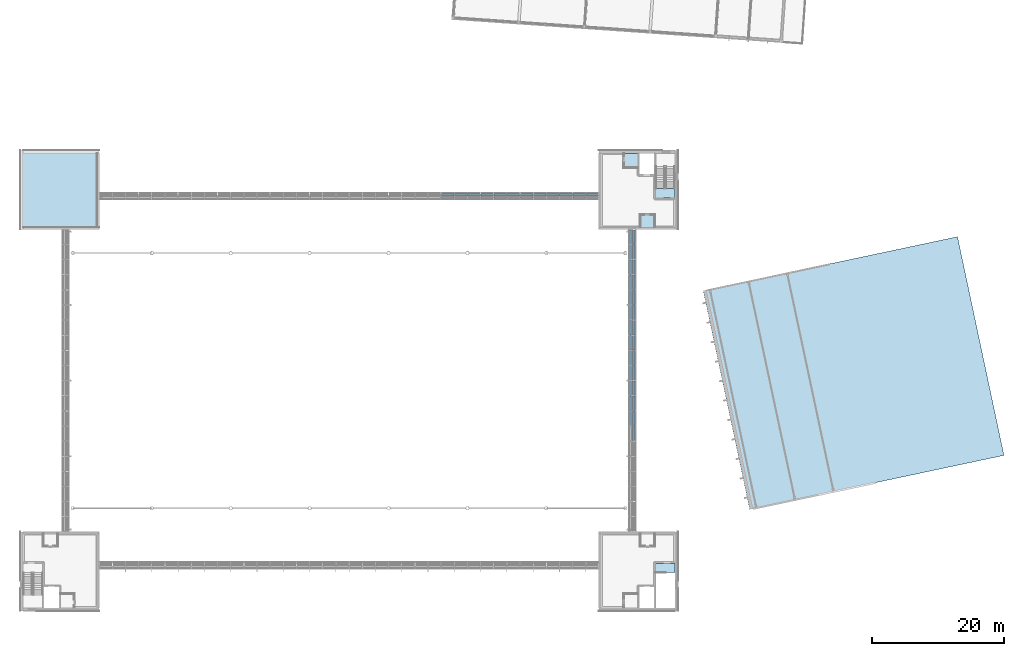
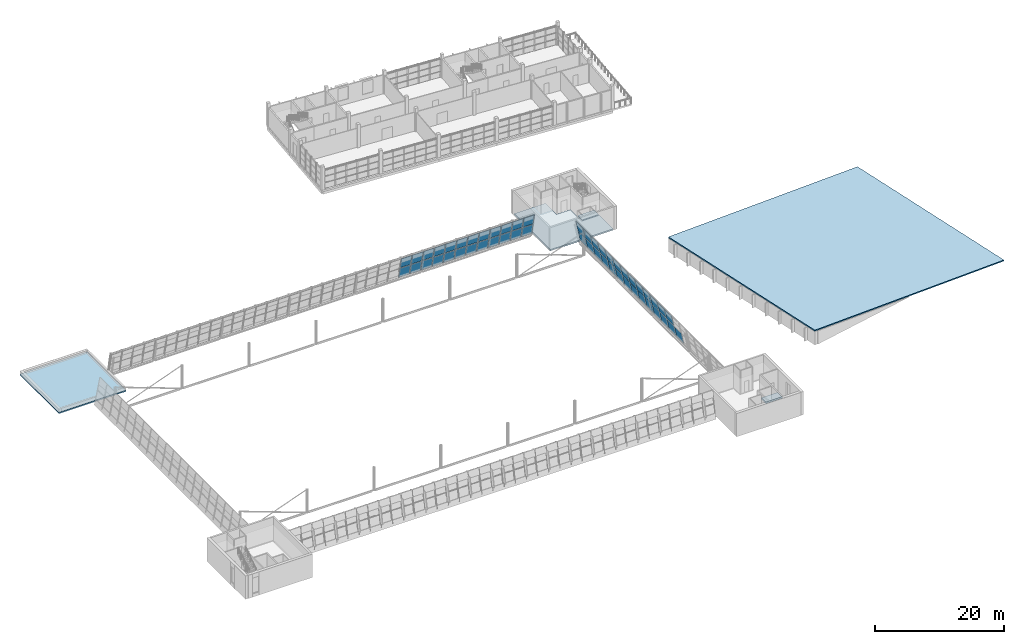
# One storey, part 26 of 50: 51 plates, 5 slabs, 2 elements without a shape of their own.
"""IFC4 building model written with IfcOpenShell, lengths in metres."""

import ifcopenshell
import ifcopenshell.guid

model = None  # the IFC model being written
_history = None  # IfcOwnerHistory: only IFC2X3 demands one
_inside = {}  # id of a spatial element -> (the spatial element, [elements in it])
_under = {}  # id of a project, library or spatial element -> (it, [spatial elements below it])
_declared = {}  # id of a project -> (the project, [libraries it declares])
_typed = {}  # id of a type object -> (the type object, [elements of that type])
_made_of = {}  # id of a material, layer set ... -> (it, [elements and type objects made of it])


def new_model(schema):
    """Start an empty IFC model of exactly this schema.

    Asked for "IFC4X3", IfcOpenShell would pick the latest addendum, in which some entities
    have other attributes; the version numbers below select the first issue.
    IFC2X3 requires an IfcOwnerHistory on every rooted entity: one is made here for all.
    """
    global model, _history
    if schema == "IFC4X3":
        model = ifcopenshell.file(schema_version=(4, 3, 0, 0))
    else:
        model = ifcopenshell.file(schema=schema)
    _inside.clear()
    _under.clear()
    _declared.clear()
    _typed.clear()
    _made_of.clear()
    _history = None
    if model.schema == "IFC2X3":
        org = make("IfcOrganization", Name="unknown")
        user = make(
            "IfcPersonAndOrganization",
            ThePerson=make("IfcPerson", FamilyName="unknown"),
            TheOrganization=org,
        )
        app = make(
            "IfcApplication",
            ApplicationDeveloper=org,
            Version="unknown",
            ApplicationFullName="unknown",
            ApplicationIdentifier="unknown",
        )
        _history = make(
            "IfcOwnerHistory",
            OwningUser=user,
            OwningApplication=app,
            ChangeAction="ADDED",
            CreationDate=0,
        )
    return model


def make(cls, **values):
    """One entity of the class cls with the attributes given. An attribute that is None is left unset."""
    return model.create_entity(
        cls, **{name: value for name, value in values.items() if value is not None}
    )


def rooted(cls, **values):
    """An entity with a GlobalId (a new one), such as an element, a storey or a relation."""
    return make(cls, GlobalId=ifcopenshell.guid.new(), OwnerHistory=_history, **values)


def si_unit(unit_type, name, prefix=None):
    """IfcSIUnit, for example si_unit("LENGTHUNIT", "METRE", prefix="MILLI")."""
    return make("IfcSIUnit", UnitType=unit_type, Prefix=prefix, Name=name)


def assignment(units):
    """IfcUnitAssignment: the units of a project."""
    return None if units is None else make("IfcUnitAssignment", Units=units)


def point(xyz):
    """IfcCartesianPoint."""
    return None if xyz is None else make("IfcCartesianPoint", Coordinates=xyz)


def direction(xyz):
    """IfcDirection."""
    return None if xyz is None else make("IfcDirection", DirectionRatios=xyz)


def frame(location, z_axis=None, x_axis=None):
    """IfcAxis2Placement3D, a coordinate frame: its origin and axes. An axis left out is left unset."""
    return make(
        "IfcAxis2Placement3D",
        Location=point(location),
        Axis=direction(z_axis),
        RefDirection=direction(x_axis),
    )


def origin():
    """The frame at (0, 0, 0) with its axes left unset."""
    return frame((0.0, 0.0, 0.0))


def place(relative_to, where):
    """IfcLocalPlacement: puts the frame where relative to a parent placement (None: the world)."""
    return make(
        "IfcLocalPlacement", PlacementRelTo=relative_to, RelativePlacement=where
    )


def context(
    kind, dimensions, precision=None, world=None, true_north=None, identifier=None
):
    """IfcGeometricRepresentationContext, for example the 3D "Model" context."""
    return make(
        "IfcGeometricRepresentationContext",
        ContextIdentifier=identifier,
        ContextType=kind,
        CoordinateSpaceDimension=dimensions,
        Precision=precision,
        WorldCoordinateSystem=world,
        TrueNorth=true_north,
    )


def subcontext(parent, identifier, kind, view, scale=None):
    """IfcGeometricRepresentationSubContext, for example "Body" below "Model"."""
    return make(
        "IfcGeometricRepresentationSubContext",
        ContextIdentifier=identifier,
        ContextType=kind,
        ParentContext=parent,
        TargetScale=scale,
        TargetView=view,
    )


def project(units=None, contexts=None):
    """IfcProject with its units and contexts."""
    return rooted(
        "IfcProject",
        Name="project",
        RepresentationContexts=contexts,
        UnitsInContext=assignment(units),
    )


def spatial(cls, under=None, at=None, **own):
    """A site, building, storey or space (cls), placed at a placement, below another one or the project."""
    s = rooted(cls, ObjectPlacement=at, **own)
    if under is not None:
        _under.setdefault(under.id(), (under, []))[1].append(s)
    return s


def polyline(points):
    """IfcPolyline through the points."""
    return make("IfcPolyline", Points=[point(p) for p in points])


def outline(outer, holes=None, kind="AREA"):
    """IfcArbitraryClosedProfileDef: a profile drawn as a closed curve; with holes, ...WithVoids."""
    if holes is None:
        return make("IfcArbitraryClosedProfileDef", ProfileType=kind, OuterCurve=outer)
    return make(
        "IfcArbitraryProfileDefWithVoids",
        ProfileType=kind,
        OuterCurve=outer,
        InnerCurves=holes,
    )


def extrude(swept, where, along, depth):
    """IfcExtrudedAreaSolid: the profile swept, set in the frame where, extruded along a direction by depth."""
    return make(
        "IfcExtrudedAreaSolid",
        SweptArea=swept,
        Position=where,
        ExtrudedDirection=direction(along),
        Depth=depth,
    )


def shape(context_of_items, identifier, shape_type, items):
    """IfcShapeRepresentation: the items that make up one representation, for example the "Body"."""
    return make(
        "IfcShapeRepresentation",
        ContextOfItems=context_of_items,
        RepresentationIdentifier=identifier,
        RepresentationType=shape_type,
        Items=items,
    )


def material(Name=None, Category=None):
    """IfcMaterial."""
    return make("IfcMaterial", Name=Name, Category=Category)


def layer(
    of_material, thickness, ventilated=None, Name=None, Category=None, Priority=None
):
    """IfcMaterialLayer: one layer of a wall or slab, of a material (None: an air gap)."""
    return make(
        "IfcMaterialLayer",
        Material=of_material,
        LayerThickness=thickness,
        IsVentilated=ventilated,
        Name=Name,
        Category=Category,
        Priority=Priority,
    )


def layer_set(layers, Name=None):
    """IfcMaterialLayerSet."""
    return make("IfcMaterialLayerSet", MaterialLayers=layers, LayerSetName=Name)


def made_of(thing, what):
    """Note that an element or type object is made of a material, layer set ...; save() writes the relation."""
    if what is not None:
        _made_of.setdefault(what.id(), (what, []))[1].append(thing)
    return thing


def type_object(cls, material=None, **own):
    """A type object (cls), such as IfcWallType, which elements share."""
    return made_of(rooted(cls, **own), material)


def element(
    cls,
    number,
    at=None,
    inside=None,
    cuts=None,
    type_object=None,
    material=None,
    context=None,
    identifier="Body",
    shape_type=None,
    held_by="IfcProductDefinitionShape",
    body=None,
    shapes=None,
    **own,
):
    """One element of the class cls, such as IfcWall. Its Tag is "e" and its number.

    at: its placement. inside: the storey or other place that contains it. cuts: it is an
    opening in that element (IfcRelVoidsElement). A single representation is given by context,
    identifier, shape_type and body (its items); several are given by shapes. held_by: the class
    of the entity that holds the representations. save() writes the other relations.
    """
    e = rooted(cls, Tag="e%d" % number, ObjectPlacement=at, **own)
    if body is not None:
        shapes = [shape(context, identifier, shape_type, body)]
    if shapes is not None:
        e.Representation = make(held_by, Representations=shapes)
    if inside is not None:
        _inside.setdefault(inside.id(), (inside, []))[1].append(e)
    if cuts is not None:
        rooted(
            "IfcRelVoidsElement", RelatingBuildingElement=cuts, RelatedOpeningElement=e
        )
    if type_object is not None:
        _typed.setdefault(type_object.id(), (type_object, []))[1].append(e)
    return made_of(e, material)


def aggregate(whole, parts):
    """IfcRelAggregates: a whole, such as a stair, and the parts it consists of."""
    return rooted("IfcRelAggregates", RelatingObject=whole, RelatedObjects=parts)


def save(model, path):
    """Write the relations noted so far, then the file.

    IfcRelAggregates (storeys below a building ...), IfcRelContainedInSpatialStructure (elements
    in a storey), IfcRelDefinesByType, IfcRelAssociatesMaterial and IfcRelDeclares: one each for
    every whole, place, type object, material and project.
    """
    for whole, parts in _under.values():
        aggregate(whole, parts)
    for where, things in _inside.values():
        rooted(
            "IfcRelContainedInSpatialStructure",
            RelatedElements=things,
            RelatingStructure=where,
        )
    for kind, things in _typed.values():
        rooted("IfcRelDefinesByType", RelatedObjects=things, RelatingType=kind)
    for what, things in _made_of.values():
        rooted("IfcRelAssociatesMaterial", RelatedObjects=things, RelatingMaterial=what)
    for by, libraries in _declared.values():
        rooted("IfcRelDeclares", RelatingContext=by, RelatedDefinitions=libraries)
    model.write(path)


model = new_model("IFC4")

# Units and contexts
model_context = context("Model", 3, precision=1e-05, world=origin(), true_north=direction((0.0, 1.0)))
body_context = subcontext(model_context, "Body", "Model", "MODEL_VIEW")
ifc_project = project(units=[si_unit("LENGTHUNIT", "METRE"), si_unit("AREAUNIT", "SQUARE_METRE"), si_unit("VOLUMEUNIT", "CUBIC_METRE"), si_unit("PLANEANGLEUNIT", "RADIAN"), si_unit("MASSUNIT", "GRAM", prefix="KILO")], contexts=[model_context])

# Site, building, storey
site_placement = place(None, origin())
site = spatial("IfcSite", under=ifc_project, at=site_placement, CompositionType="ELEMENT")
building_placement = place(site_placement, origin())
building = spatial("IfcBuilding", under=site, at=building_placement, Name="Windward Yard Aquatics Centre", CompositionType="ELEMENT")
storey_placement = place(building_placement, frame((0.0, 0.0, 18.199951171875)))
storey = spatial("IfcBuildingStorey", under=building, at=storey_placement, Name="L04", CompositionType="ELEMENT", Elevation=18.199951171875)

# Slabs
ifc_material_1 = material(Name="Concrete C35/45 on profiled steel deck", Category="concrete")
ifc_layer_1 = layer(ifc_material_1, 0.199951171875)
ifc_layer_set_1 = layer_set([ifc_layer_1], Name="D roof deck slab 200")
slab_type_1 = type_object("IfcSlabType", Name="D roof deck slab 200", PredefinedType="ROOF", material=ifc_layer_set_1)
slab_1_placement = place(storey_placement, frame((155.880615234375, 74.67822265625, 2.800048828125), z_axis=(0.127601258026, 0.027122427428, 0.991454634807), x_axis=(0.207913929899, -0.9781471248, -3.57666e-07)))
element("IfcSlab", 1, at=slab_1_placement, inside=storey, type_object=slab_type_1, Name="Diving hall roof deck", PredefinedType="ROOF", context=body_context, shape_type="SweptSolid", body=[
    extrude(outline(polyline([(0.0, 0.0), (34.00008, 0.0), (34.000017, 39.840371), (0.000227, 39.840558), (0.0, 0.0)])), origin(), (0.0, 0.0, -1.0), 0.199951171875),
])
ifc_material_2 = material(Name="Concrete C35/45", Category="concrete")
ifc_layer_2 = layer(ifc_material_2, 0.25)
ifc_layer_set_2 = layer_set([ifc_layer_2], Name="H Core Floor Concrete C35/45 250")
slab_type_2 = type_object("IfcSlabType", Name="H Core Floor Concrete C35/45 250", PredefinedType="FLOOR", material=ifc_layer_set_2)
slab_2_placement = place(storey_placement, frame((0.0, 0.0, -0.25)))
element("IfcSlab", 2, at=slab_2_placement, inside=storey, type_object=slab_type_2, Name="L04 stair floor landing SE", PredefinedType="FLOOR", context=body_context, shape_type="SweptSolid", body=[
    extrude(outline(polyline([(148.60009765625, 31.800048828125), (151.550048828125, 31.800048828125), (151.550048828125, 33.199951171875), (148.60009765625, 33.199951171875), (148.60009765625, 31.800048828125)])), origin(), (0.0, 0.0, 1.0), 0.25),
])
slab_3_placement = place(storey_placement, frame((0.0, 0.0, -0.25)))
element("IfcSlab", 3, at=slab_3_placement, inside=storey, type_object=slab_type_2, Name="L04 core floor NE", PredefinedType="FLOOR", context=body_context, shape_type="SweptSolid", body=[
    extrude(outline(polyline([(140.300048828125, 84.300048828125), (151.550048828125, 84.300048828125), (151.550048828125, 88.60009765625), (148.39990234375, 88.60009765625), (148.39990234375, 92.14990234375), (145.89990234375, 92.14990234375), (145.89990234375, 95.550048828125), (140.300048828125, 95.550048828125), (140.300048828125, 84.300048828125)])), origin(), (0.0, 0.0, 1.0), 0.25),
])
slab_4_placement = place(storey_placement, frame((0.0, 0.0, -0.25)))
element("IfcSlab", 4, at=slab_4_placement, inside=storey, type_object=slab_type_2, Name="L04 stair floor landing NE", PredefinedType="FLOOR", context=body_context, shape_type="SweptSolid", body=[
    extrude(outline(polyline([(148.60009765625, 88.800048828125), (151.550048828125, 88.800048828125), (151.550048828125, 90.199951171875), (148.60009765625, 90.199951171875), (148.60009765625, 88.800048828125)])), origin(), (0.0, 0.0, 1.0), 0.25),
])
ifc_material_3 = material(Name="Bituminous waterproofing membrane with root barrier")
ifc_layer_3 = layer(ifc_material_3, 0.005, Name="Waterproofing")
ifc_material_4 = material(Name="Mineral wool insulation")
ifc_layer_4 = layer(ifc_material_4, 0.08, Name="Insulation")
ifc_material_5 = material(Name="Cement screed laid to falls")
ifc_layer_5 = layer(ifc_material_5, 0.04, Name="Falls")
ifc_layer_6 = layer(ifc_material_2, 0.125, Name="Structure")
ifc_layer_set_3 = layer_set([ifc_layer_3, ifc_layer_4, ifc_layer_5, ifc_layer_6], Name="H core roof slab 250 C35/45")
slab_type_3 = type_object("IfcSlabType", Name="H core roof slab 250 C35/45", PredefinedType="ROOF", material=ifc_layer_set_3)
slab_5_placement = place(storey_placement, origin())
element("IfcSlab", 5, at=slab_5_placement, inside=storey, type_object=slab_type_3, Name="H.CR.NW", PredefinedType="ROOF", context=body_context, shape_type="SweptSolid", body=[
    extrude(outline(polyline([(52.0, 84.0), (64.0, 84.0), (64.0, 96.0), (52.0, 96.0), (52.0, 84.0)])), origin(), (0.0, 0.0, 1.0), 0.25),
])

# Curtain wall, plates
ifc_material_6 = material(Name="Glass and aluminium curtain wall", Category="aluminium")
ifc_layer_7 = layer(ifc_material_6, 0.179931640625)
ifc_layer_set_4 = layer_set([ifc_layer_7], Name="H curtain wall tier 2 double glazed 6+16+6")
curtain_wall_type = type_object("IfcCurtainWallType", Name="H curtain wall tier 2 double glazed 6+16+6", PredefinedType="NOTDEFINED", material=ifc_layer_set_4)
curtain_wall_1_placement = place(storey_placement, origin())
curtain_wall_1 = element("IfcCurtainWall", 6, at=curtain_wall_1_placement, inside=storey, type_object=curtain_wall_type, Name="Tier 2 glazing N L04", PredefinedType="NOTDEFINED")
ifc_material_7 = material(Name="Low-iron glass", Category="glass")
ifc_layer_8 = layer(ifc_material_7, 0.006, Name="Outer pane")
ifc_material_8 = material(Name="Argon-filled cavity")
ifc_layer_9 = layer(ifc_material_8, 0.016, Name="Cavity")
ifc_layer_10 = layer(ifc_material_7, 0.006, Name="Inner pane")
ifc_layer_set_5 = layer_set([ifc_layer_8, ifc_layer_9, ifc_layer_10], Name="H tier 2 glass low-e double glazed unit 28")
plate_type = type_object("IfcPlateType", Name="H tier 2 glass low-e double glazed unit 28", PredefinedType="CURTAIN_PANEL", material=ifc_layer_set_5)
plate_1_placement = place(storey_placement, frame((116.03564453125, 89.086181640625, 2.078857421875), z_axis=(0.0, 0.979933459069, 0.199324900092), x_axis=(0.0, 0.199324900092, -0.979933459069)))
plate_1 = element("IfcPlate", 7, at=plate_1_placement, type_object=plate_type, Name="G2NB panel 8.1", PredefinedType="CURTAIN_PANEL", context=body_context, shape_type="SweptSolid", body=[
    extrude(outline(polyline([(0.0, 0.0), (2.018532, 0.0), (2.018532, -1.934814), (0.0, -1.934814), (0.0, 0.0)])), origin(), (0.0, 0.0, -1.0), 0.028076171875),
])
plate_2_placement = place(storey_placement, frame((116.03564453125, 88.6650390625, 4.1484375), z_axis=(0.0, 0.979926619255, 0.199358523457), x_axis=(0.0, 0.199358523457, -0.979926619255)))
plate_2 = element("IfcPlate", 8, at=plate_2_placement, type_object=plate_type, Name="G2NB panel 8.2", PredefinedType="CURTAIN_PANEL", context=body_context, shape_type="SweptSolid", body=[
    extrude(outline(polyline([(0.0, 0.0), (2.012069, 0.0), (2.012069, -1.934814), (0.0, -1.934814), (0.0, 0.0)])), origin(), (0.0, 0.0, -1.0), 0.028076171875),
])
plate_3_placement = place(storey_placement, frame((118.035400390625, 89.086181640625, 2.078857421875), z_axis=(0.0, 0.979933459069, 0.199324900092), x_axis=(0.0, 0.199324900092, -0.979933459069)))
plate_3 = element("IfcPlate", 9, at=plate_3_placement, type_object=plate_type, Name="G2NB panel 9.1", PredefinedType="CURTAIN_PANEL", context=body_context, shape_type="SweptSolid", body=[
    extrude(outline(polyline([(0.0, 0.0), (2.018532, 0.0), (2.018532, -1.934814), (0.0, -1.934814), (0.0, 0.0)])), origin(), (0.0, 0.0, -1.0), 0.028076171875),
])
plate_4_placement = place(storey_placement, frame((118.035400390625, 88.6650390625, 4.1484375), z_axis=(0.0, 0.979926619255, 0.199358523457), x_axis=(0.0, 0.199358523457, -0.979926619255)))
plate_4 = element("IfcPlate", 10, at=plate_4_placement, type_object=plate_type, Name="G2NB panel 9.2", PredefinedType="CURTAIN_PANEL", context=body_context, shape_type="SweptSolid", body=[
    extrude(outline(polyline([(0.0, 0.0), (2.012069, 0.0), (2.012069, -1.934814), (0.0, -1.934814), (0.0, 0.0)])), origin(), (0.0, 0.0, -1.0), 0.028076171875),
])
plate_5_placement = place(storey_placement, frame((120.03515625, 89.086181640625, 2.078857421875), z_axis=(0.0, 0.979933459069, 0.199324900092), x_axis=(0.0, 0.199324900092, -0.979933459069)))
plate_5 = element("IfcPlate", 11, at=plate_5_placement, type_object=plate_type, Name="G2NB panel 10.1", PredefinedType="CURTAIN_PANEL", context=body_context, shape_type="SweptSolid", body=[
    extrude(outline(polyline([(0.0, 0.0), (2.018532, 0.0), (2.018532, -1.934814), (0.0, -1.934814), (0.0, 0.0)])), origin(), (0.0, 0.0, -1.0), 0.028076171875),
])
plate_6_placement = place(storey_placement, frame((120.03515625, 88.6650390625, 4.1484375), z_axis=(0.0, 0.979926619255, 0.199358523457), x_axis=(0.0, 0.199358523457, -0.979926619255)))
plate_6 = element("IfcPlate", 12, at=plate_6_placement, type_object=plate_type, Name="G2NB panel 10.2", PredefinedType="CURTAIN_PANEL", context=body_context, shape_type="SweptSolid", body=[
    extrude(outline(polyline([(0.0, 0.0), (2.012069, 0.0), (2.012069, -1.934814), (0.0, -1.934814), (0.0, 0.0)])), origin(), (0.0, 0.0, -1.0), 0.028076171875),
])
plate_7_placement = place(storey_placement, frame((122.034912109375, 89.086181640625, 2.078857421875), z_axis=(0.0, 0.979933459069, 0.199324900092), x_axis=(0.0, 0.199324900092, -0.979933459069)))
plate_7 = element("IfcPlate", 13, at=plate_7_placement, type_object=plate_type, Name="G2NB panel 11.1", PredefinedType="CURTAIN_PANEL", context=body_context, shape_type="SweptSolid", body=[
    extrude(outline(polyline([(0.0, 0.0), (2.018532, 0.0), (2.018532, -1.934814), (0.0, -1.934814), (0.0, 0.0)])), origin(), (0.0, 0.0, -1.0), 0.028076171875),
])
plate_8_placement = place(storey_placement, frame((122.034912109375, 88.6650390625, 4.1484375), z_axis=(0.0, 0.979926619255, 0.199358523457), x_axis=(0.0, 0.199358523457, -0.979926619255)))
plate_8 = element("IfcPlate", 14, at=plate_8_placement, type_object=plate_type, Name="G2NB panel 11.2", PredefinedType="CURTAIN_PANEL", context=body_context, shape_type="SweptSolid", body=[
    extrude(outline(polyline([(0.0, 0.0), (2.012069, 0.0), (2.012069, -1.934814), (0.0, -1.934814), (0.0, 0.0)])), origin(), (0.0, 0.0, -1.0), 0.028076171875),
])
plate_9_placement = place(storey_placement, frame((124.03466796875, 89.086181640625, 2.078857421875), z_axis=(0.0, 0.979933459069, 0.199324900092), x_axis=(0.0, 0.199324900092, -0.979933459069)))
plate_9 = element("IfcPlate", 15, at=plate_9_placement, type_object=plate_type, Name="G2NB panel 12.1", PredefinedType="CURTAIN_PANEL", context=body_context, shape_type="SweptSolid", body=[
    extrude(outline(polyline([(0.0, 0.0), (2.018532, 0.0), (2.018532, -1.93457), (0.0, -1.93457), (0.0, 0.0)])), origin(), (0.0, 0.0, -1.0), 0.028076171875),
])
plate_10_placement = place(storey_placement, frame((124.03466796875, 88.6650390625, 4.1484375), z_axis=(0.0, 0.979926619255, 0.199358523457), x_axis=(0.0, 0.199358523457, -0.979926619255)))
plate_10 = element("IfcPlate", 16, at=plate_10_placement, type_object=plate_type, Name="G2NB panel 12.2", PredefinedType="CURTAIN_PANEL", context=body_context, shape_type="SweptSolid", body=[
    extrude(outline(polyline([(0.0, 0.0), (2.012069, 0.0), (2.012069, -1.93457), (0.0, -1.93457), (0.0, 0.0)])), origin(), (0.0, 0.0, -1.0), 0.028076171875),
])
plate_11_placement = place(storey_placement, frame((126.034423828125, 89.086181640625, 2.078857421875), z_axis=(0.0, 0.979933459069, 0.199324900092), x_axis=(0.0, 0.199324900092, -0.979933459069)))
plate_11 = element("IfcPlate", 17, at=plate_11_placement, type_object=plate_type, Name="G2NB panel 13.1", PredefinedType="CURTAIN_PANEL", context=body_context, shape_type="SweptSolid", body=[
    extrude(outline(polyline([(0.0, 0.0), (2.018532, 0.0), (2.018532, -1.93457), (0.0, -1.93457), (0.0, 0.0)])), origin(), (0.0, 0.0, -1.0), 0.028076171875),
])
plate_12_placement = place(storey_placement, frame((126.034423828125, 88.6650390625, 4.1484375), z_axis=(0.0, 0.979926619255, 0.199358523457), x_axis=(0.0, 0.199358523457, -0.979926619255)))
plate_12 = element("IfcPlate", 18, at=plate_12_placement, type_object=plate_type, Name="G2NB panel 13.2", PredefinedType="CURTAIN_PANEL", context=body_context, shape_type="SweptSolid", body=[
    extrude(outline(polyline([(0.0, 0.0), (2.012069, 0.0), (2.012069, -1.93457), (0.0, -1.93457), (0.0, 0.0)])), origin(), (0.0, 0.0, -1.0), 0.028076171875),
])
plate_13_placement = place(storey_placement, frame((128.0341796875, 89.086181640625, 2.078857421875), z_axis=(0.0, 0.979933459069, 0.199324900092), x_axis=(0.0, 0.199324900092, -0.979933459069)))
plate_13 = element("IfcPlate", 19, at=plate_13_placement, type_object=plate_type, Name="G2NB panel 14.1", PredefinedType="CURTAIN_PANEL", context=body_context, shape_type="SweptSolid", body=[
    extrude(outline(polyline([(0.0, 0.0), (2.018532, 0.0), (2.018532, -1.93457), (0.0, -1.93457), (0.0, 0.0)])), origin(), (0.0, 0.0, -1.0), 0.028076171875),
])
plate_14_placement = place(storey_placement, frame((128.0341796875, 88.6650390625, 4.1484375), z_axis=(0.0, 0.979926619255, 0.199358523457), x_axis=(0.0, 0.199358523457, -0.979926619255)))
plate_14 = element("IfcPlate", 20, at=plate_14_placement, type_object=plate_type, Name="G2NB panel 14.2", PredefinedType="CURTAIN_PANEL", context=body_context, shape_type="SweptSolid", body=[
    extrude(outline(polyline([(0.0, 0.0), (2.012069, 0.0), (2.012069, -1.93457), (0.0, -1.93457), (0.0, 0.0)])), origin(), (0.0, 0.0, -1.0), 0.028076171875),
])
plate_15_placement = place(storey_placement, frame((130.033935546875, 89.086181640625, 2.078857421875), z_axis=(0.0, 0.979933459069, 0.199324900092), x_axis=(0.0, 0.199324900092, -0.979933459069)))
plate_15 = element("IfcPlate", 21, at=plate_15_placement, type_object=plate_type, Name="G2NB panel 15.1", PredefinedType="CURTAIN_PANEL", context=body_context, shape_type="SweptSolid", body=[
    extrude(outline(polyline([(0.0, 0.0), (2.018532, 0.0), (2.018532, -1.93457), (0.0, -1.93457), (0.0, 0.0)])), origin(), (0.0, 0.0, -1.0), 0.028076171875),
])
plate_16_placement = place(storey_placement, frame((130.033935546875, 88.6650390625, 4.1484375), z_axis=(0.0, 0.979926619255, 0.199358523457), x_axis=(0.0, 0.199358523457, -0.979926619255)))
plate_16 = element("IfcPlate", 22, at=plate_16_placement, type_object=plate_type, Name="G2NB panel 15.2", PredefinedType="CURTAIN_PANEL", context=body_context, shape_type="SweptSolid", body=[
    extrude(outline(polyline([(0.0, 0.0), (2.012069, 0.0), (2.012069, -1.93457), (0.0, -1.93457), (0.0, 0.0)])), origin(), (0.0, 0.0, -1.0), 0.028076171875),
])
plate_17_placement = place(storey_placement, frame((132.033447265625, 89.086181640625, 2.078857421875), z_axis=(0.0, 0.979933459069, 0.199324900092), x_axis=(0.0, 0.199324900092, -0.979933459069)))
plate_17 = element("IfcPlate", 23, at=plate_17_placement, type_object=plate_type, Name="G2NB panel 16.1", PredefinedType="CURTAIN_PANEL", context=body_context, shape_type="SweptSolid", body=[
    extrude(outline(polyline([(0.0, 0.0), (2.018532, 0.0), (2.018532, -1.934814), (0.0, -1.934814), (0.0, 0.0)])), origin(), (0.0, 0.0, -1.0), 0.028076171875),
])
plate_18_placement = place(storey_placement, frame((132.033447265625, 88.6650390625, 4.1484375), z_axis=(0.0, 0.979926619255, 0.199358523457), x_axis=(0.0, 0.199358523457, -0.979926619255)))
plate_18 = element("IfcPlate", 24, at=plate_18_placement, type_object=plate_type, Name="G2NB panel 16.2", PredefinedType="CURTAIN_PANEL", context=body_context, shape_type="SweptSolid", body=[
    extrude(outline(polyline([(0.0, 0.0), (2.012069, 0.0), (2.012069, -1.934814), (0.0, -1.934814), (0.0, 0.0)])), origin(), (0.0, 0.0, -1.0), 0.028076171875),
])
plate_19_placement = place(storey_placement, frame((134.033203125, 89.086181640625, 2.078857421875), z_axis=(0.0, 0.979933459069, 0.199324900092), x_axis=(0.0, 0.199324900092, -0.979933459069)))
plate_19 = element("IfcPlate", 25, at=plate_19_placement, type_object=plate_type, Name="G2NB panel 17.1", PredefinedType="CURTAIN_PANEL", context=body_context, shape_type="SweptSolid", body=[
    extrude(outline(polyline([(0.0, 0.0), (2.018532, 0.0), (2.018532, -1.934814), (0.0, -1.934814), (0.0, 0.0)])), origin(), (0.0, 0.0, -1.0), 0.028076171875),
])
plate_20_placement = place(storey_placement, frame((134.033203125, 88.6650390625, 4.1484375), z_axis=(0.0, 0.979926619255, 0.199358523457), x_axis=(0.0, 0.199358523457, -0.979926619255)))
plate_20 = element("IfcPlate", 26, at=plate_20_placement, type_object=plate_type, Name="G2NB panel 17.2", PredefinedType="CURTAIN_PANEL", context=body_context, shape_type="SweptSolid", body=[
    extrude(outline(polyline([(0.0, 0.0), (2.012069, 0.0), (2.012069, -1.934814), (0.0, -1.934814), (0.0, 0.0)])), origin(), (0.0, 0.0, -1.0), 0.028076171875),
])
plate_21_placement = place(storey_placement, frame((136.032958984375, 89.086181640625, 2.078857421875), z_axis=(0.0, 0.979933459069, 0.199324900092), x_axis=(0.0, 0.199324900092, -0.979933459069)))
plate_21 = element("IfcPlate", 27, at=plate_21_placement, type_object=plate_type, Name="G2NB panel 18.1", PredefinedType="CURTAIN_PANEL", context=body_context, shape_type="SweptSolid", body=[
    extrude(outline(polyline([(0.0, 0.0), (2.018532, 0.0), (2.018532, -1.934814), (0.0, -1.934814), (0.0, 0.0)])), origin(), (0.0, 0.0, -1.0), 0.028076171875),
])
plate_22_placement = place(storey_placement, frame((136.032958984375, 88.6650390625, 4.1484375), z_axis=(0.0, 0.979926619255, 0.199358523457), x_axis=(0.0, 0.199358523457, -0.979926619255)))
plate_22 = element("IfcPlate", 28, at=plate_22_placement, type_object=plate_type, Name="G2NB panel 18.2", PredefinedType="CURTAIN_PANEL", context=body_context, shape_type="SweptSolid", body=[
    extrude(outline(polyline([(0.0, 0.0), (2.012069, 0.0), (2.012069, -1.934814), (0.0, -1.934814), (0.0, 0.0)])), origin(), (0.0, 0.0, -1.0), 0.028076171875),
])
plate_23_placement = place(storey_placement, frame((138.03271484375, 89.086181640625, 2.078857421875), z_axis=(0.0, 0.979933459069, 0.199324900092), x_axis=(0.0, 0.199324900092, -0.979933459069)))
plate_23 = element("IfcPlate", 29, at=plate_23_placement, type_object=plate_type, Name="G2NB panel 19.1", PredefinedType="CURTAIN_PANEL", context=body_context, shape_type="SweptSolid", body=[
    extrude(outline(polyline([(0.0, 0.0), (2.018532, 0.0), (2.018532, -1.902344), (0.0, -1.902344), (0.0, 0.0)])), origin(), (0.0, 0.0, -1.0), 0.028076171875),
])
plate_24_placement = place(storey_placement, frame((138.03271484375, 88.6650390625, 4.1484375), z_axis=(0.0, 0.979926619255, 0.199358523457), x_axis=(0.0, 0.199358523457, -0.979926619255)))
plate_24 = element("IfcPlate", 30, at=plate_24_placement, type_object=plate_type, Name="G2NB panel 19.2", PredefinedType="CURTAIN_PANEL", context=body_context, shape_type="SweptSolid", body=[
    extrude(outline(polyline([(0.0, 0.0), (2.012069, 0.0), (2.012069, -1.902344), (0.0, -1.902344), (0.0, 0.0)])), origin(), (0.0, 0.0, -1.0), 0.028076171875),
])
aggregate(curtain_wall_1, [plate_1, plate_2, plate_3, plate_4, plate_5, plate_6, plate_7, plate_8, plate_9, plate_10, plate_11, plate_12, plate_13, plate_14, plate_15, plate_16, plate_17, plate_18, plate_19, plate_20, plate_21, plate_22, plate_23, plate_24])

curtain_wall_2_placement = place(storey_placement, origin())
curtain_wall_2 = element("IfcCurtainWall", 31, at=curtain_wall_2_placement, inside=storey, type_object=curtain_wall_type, Name="Tier 2 glazing E L04", PredefinedType="NOTDEFINED")
plate_25_placement = place(storey_placement, frame((145.086181640625, 51.83251953125, 2.078857421875), z_axis=(0.979933459069, 0.0, 0.199324900092), x_axis=(0.199324900092, 0.0, -0.979933459069)))
plate_25 = element("IfcPlate", 32, at=plate_25_placement, type_object=plate_type, Name="G2EA panel 7.1", PredefinedType="CURTAIN_PANEL", context=body_context, shape_type="SweptSolid", body=[
    extrude(outline(polyline([(0.0, 0.0), (2.018532, 0.0), (2.018532, 2.234863), (0.0, 2.234863), (0.0, 0.0)])), origin(), (0.0, 0.0, -1.0), 0.028076171875),
])
plate_26_placement = place(storey_placement, frame((145.086181640625, 54.132568359375, 2.078857421875), z_axis=(0.979933459069, 0.0, 0.199324900092), x_axis=(0.199324900092, 0.0, -0.979933459069)))
plate_26 = element("IfcPlate", 33, at=plate_26_placement, type_object=plate_type, Name="G2EA panel 8.1", PredefinedType="CURTAIN_PANEL", context=body_context, shape_type="SweptSolid", body=[
    extrude(outline(polyline([(0.0, 0.0), (2.018532, 0.0), (2.018532, 2.234863), (0.0, 2.234863), (0.0, 0.0)])), origin(), (0.0, 0.0, -1.0), 0.028076171875),
])
plate_27_placement = place(storey_placement, frame((144.6650390625, 54.132568359375, 4.1484375), z_axis=(0.979926619255, 0.0, 0.199358523457), x_axis=(0.199358523457, 0.0, -0.979926619255)))
plate_27 = element("IfcPlate", 34, at=plate_27_placement, type_object=plate_type, Name="G2EA panel 8.2", PredefinedType="CURTAIN_PANEL", context=body_context, shape_type="SweptSolid", body=[
    extrude(outline(polyline([(0.0, 0.0), (2.012069, 0.0), (2.012069, 2.234863), (0.0, 2.234863), (0.0, 0.0)])), origin(), (0.0, 0.0, -1.0), 0.028076171875),
])
plate_28_placement = place(storey_placement, frame((145.086181640625, 56.4326171875, 2.078857421875), z_axis=(0.979933459069, 0.0, 0.199324900092), x_axis=(0.199324900092, 0.0, -0.979933459069)))
plate_28 = element("IfcPlate", 35, at=plate_28_placement, type_object=plate_type, Name="G2EA panel 9.1", PredefinedType="CURTAIN_PANEL", context=body_context, shape_type="SweptSolid", body=[
    extrude(outline(polyline([(0.0, 0.0), (2.018532, 0.0), (2.018532, 2.234863), (0.0, 2.234863), (0.0, 0.0)])), origin(), (0.0, 0.0, -1.0), 0.028076171875),
])
plate_29_placement = place(storey_placement, frame((144.6650390625, 56.4326171875, 4.1484375), z_axis=(0.979926619255, 0.0, 0.199358523457), x_axis=(0.199358523457, 0.0, -0.979926619255)))
plate_29 = element("IfcPlate", 36, at=plate_29_placement, type_object=plate_type, Name="G2EA panel 9.2", PredefinedType="CURTAIN_PANEL", context=body_context, shape_type="SweptSolid", body=[
    extrude(outline(polyline([(0.0, 0.0), (2.012069, 0.0), (2.012069, 2.234863), (0.0, 2.234863), (0.0, 0.0)])), origin(), (0.0, 0.0, -1.0), 0.028076171875),
])
plate_30_placement = place(storey_placement, frame((145.086181640625, 58.732421875, 2.078857421875), z_axis=(0.979933459069, 0.0, 0.199324900092), x_axis=(0.199324900092, 0.0, -0.979933459069)))
plate_30 = element("IfcPlate", 37, at=plate_30_placement, type_object=plate_type, Name="G2EA panel 10.1", PredefinedType="CURTAIN_PANEL", context=body_context, shape_type="SweptSolid", body=[
    extrude(outline(polyline([(0.0, 0.0), (2.018532, 0.0), (2.018532, 2.235107), (0.0, 2.235107), (0.0, 0.0)])), origin(), (0.0, 0.0, -1.0), 0.028076171875),
])
plate_31_placement = place(storey_placement, frame((144.6650390625, 58.732421875, 4.1484375), z_axis=(0.979926619255, 0.0, 0.199358523457), x_axis=(0.199358523457, 0.0, -0.979926619255)))
plate_31 = element("IfcPlate", 38, at=plate_31_placement, type_object=plate_type, Name="G2EA panel 10.2", PredefinedType="CURTAIN_PANEL", context=body_context, shape_type="SweptSolid", body=[
    extrude(outline(polyline([(0.0, 0.0), (2.012069, 0.0), (2.012069, 2.235107), (0.0, 2.235107), (0.0, 0.0)])), origin(), (0.0, 0.0, -1.0), 0.028076171875),
])
plate_32_placement = place(storey_placement, frame((145.086181640625, 61.032470703125, 2.078857421875), z_axis=(0.979933459069, 0.0, 0.199324900092), x_axis=(0.199324900092, 0.0, -0.979933459069)))
plate_32 = element("IfcPlate", 39, at=plate_32_placement, type_object=plate_type, Name="G2EA panel 11.1", PredefinedType="CURTAIN_PANEL", context=body_context, shape_type="SweptSolid", body=[
    extrude(outline(polyline([(0.0, 0.0), (2.018532, 0.0), (2.018532, 2.235107), (0.0, 2.235107), (0.0, 0.0)])), origin(), (0.0, 0.0, -1.0), 0.028076171875),
])
plate_33_placement = place(storey_placement, frame((144.6650390625, 61.032470703125, 4.1484375), z_axis=(0.979926619255, 0.0, 0.199358523457), x_axis=(0.199358523457, 0.0, -0.979926619255)))
plate_33 = element("IfcPlate", 40, at=plate_33_placement, type_object=plate_type, Name="G2EA panel 11.2", PredefinedType="CURTAIN_PANEL", context=body_context, shape_type="SweptSolid", body=[
    extrude(outline(polyline([(0.0, 0.0), (2.012069, 0.0), (2.012069, 2.235107), (0.0, 2.235107), (0.0, 0.0)])), origin(), (0.0, 0.0, -1.0), 0.028076171875),
])
plate_34_placement = place(storey_placement, frame((145.086181640625, 63.33251953125, 2.078857421875), z_axis=(0.979933459069, 0.0, 0.199324900092), x_axis=(0.199324900092, 0.0, -0.979933459069)))
plate_34 = element("IfcPlate", 41, at=plate_34_placement, type_object=plate_type, Name="G2EA panel 12.1", PredefinedType="CURTAIN_PANEL", context=body_context, shape_type="SweptSolid", body=[
    extrude(outline(polyline([(0.0, 0.0), (2.018532, 0.0), (2.018532, 2.234863), (0.0, 2.234863), (0.0, 0.0)])), origin(), (0.0, 0.0, -1.0), 0.028076171875),
])
plate_35_placement = place(storey_placement, frame((144.6650390625, 63.33251953125, 4.1484375), z_axis=(0.979926619255, 0.0, 0.199358523457), x_axis=(0.199358523457, 0.0, -0.979926619255)))
plate_35 = element("IfcPlate", 42, at=plate_35_placement, type_object=plate_type, Name="G2EA panel 12.2", PredefinedType="CURTAIN_PANEL", context=body_context, shape_type="SweptSolid", body=[
    extrude(outline(polyline([(0.0, 0.0), (2.012069, 0.0), (2.012069, 2.234863), (0.0, 2.234863), (0.0, 0.0)])), origin(), (0.0, 0.0, -1.0), 0.028076171875),
])
plate_36_placement = place(storey_placement, frame((145.086181640625, 65.632568359375, 2.078857421875), z_axis=(0.979933459069, 0.0, 0.199324900092), x_axis=(0.199324900092, 0.0, -0.979933459069)))
plate_36 = element("IfcPlate", 43, at=plate_36_placement, type_object=plate_type, Name="G2EA panel 13.1", PredefinedType="CURTAIN_PANEL", context=body_context, shape_type="SweptSolid", body=[
    extrude(outline(polyline([(0.0, 0.0), (2.018532, 0.0), (2.018532, 2.234863), (0.0, 2.234863), (0.0, 0.0)])), origin(), (0.0, 0.0, -1.0), 0.028076171875),
])
plate_37_placement = place(storey_placement, frame((144.6650390625, 65.632568359375, 4.1484375), z_axis=(0.979926619255, 0.0, 0.199358523457), x_axis=(0.199358523457, 0.0, -0.979926619255)))
plate_37 = element("IfcPlate", 44, at=plate_37_placement, type_object=plate_type, Name="G2EA panel 13.2", PredefinedType="CURTAIN_PANEL", context=body_context, shape_type="SweptSolid", body=[
    extrude(outline(polyline([(0.0, 0.0), (2.012069, 0.0), (2.012069, 2.234863), (0.0, 2.234863), (0.0, 0.0)])), origin(), (0.0, 0.0, -1.0), 0.028076171875),
])
plate_38_placement = place(storey_placement, frame((145.086181640625, 67.9326171875, 2.078857421875), z_axis=(0.979933459069, 0.0, 0.199324900092), x_axis=(0.199324900092, 0.0, -0.979933459069)))
plate_38 = element("IfcPlate", 45, at=plate_38_placement, type_object=plate_type, Name="G2EA panel 14.1", PredefinedType="CURTAIN_PANEL", context=body_context, shape_type="SweptSolid", body=[
    extrude(outline(polyline([(0.0, 0.0), (2.018532, 0.0), (2.018532, 2.234863), (0.0, 2.234863), (0.0, 0.0)])), origin(), (0.0, 0.0, -1.0), 0.028076171875),
])
plate_39_placement = place(storey_placement, frame((144.6650390625, 67.9326171875, 4.1484375), z_axis=(0.979926619255, 0.0, 0.199358523457), x_axis=(0.199358523457, 0.0, -0.979926619255)))
plate_39 = element("IfcPlate", 46, at=plate_39_placement, type_object=plate_type, Name="G2EA panel 14.2", PredefinedType="CURTAIN_PANEL", context=body_context, shape_type="SweptSolid", body=[
    extrude(outline(polyline([(0.0, 0.0), (2.012069, 0.0), (2.012069, 2.234863), (0.0, 2.234863), (0.0, 0.0)])), origin(), (0.0, 0.0, -1.0), 0.028076171875),
])
plate_40_placement = place(storey_placement, frame((145.086181640625, 70.232421875, 2.078857421875), z_axis=(0.979933459069, 0.0, 0.199324900092), x_axis=(0.199324900092, 0.0, -0.979933459069)))
plate_40 = element("IfcPlate", 47, at=plate_40_placement, type_object=plate_type, Name="G2EA panel 15.1", PredefinedType="CURTAIN_PANEL", context=body_context, shape_type="SweptSolid", body=[
    extrude(outline(polyline([(0.0, 0.0), (2.018532, 0.0), (2.018532, 2.235107), (0.0, 2.235107), (0.0, 0.0)])), origin(), (0.0, 0.0, -1.0), 0.028076171875),
])
plate_41_placement = place(storey_placement, frame((144.6650390625, 70.232421875, 4.1484375), z_axis=(0.979926619255, 0.0, 0.199358523457), x_axis=(0.199358523457, 0.0, -0.979926619255)))
plate_41 = element("IfcPlate", 48, at=plate_41_placement, type_object=plate_type, Name="G2EA panel 15.2", PredefinedType="CURTAIN_PANEL", context=body_context, shape_type="SweptSolid", body=[
    extrude(outline(polyline([(0.0, 0.0), (2.012069, 0.0), (2.012069, 2.235107), (0.0, 2.235107), (0.0, 0.0)])), origin(), (0.0, 0.0, -1.0), 0.028076171875),
])
plate_42_placement = place(storey_placement, frame((145.086181640625, 72.532470703125, 2.078857421875), z_axis=(0.979933459069, 0.0, 0.199324900092), x_axis=(0.199324900092, 0.0, -0.979933459069)))
plate_42 = element("IfcPlate", 49, at=plate_42_placement, type_object=plate_type, Name="G2EA panel 16.1", PredefinedType="CURTAIN_PANEL", context=body_context, shape_type="SweptSolid", body=[
    extrude(outline(polyline([(0.0, 0.0), (2.018532, 0.0), (2.018532, 2.235107), (0.0, 2.235107), (0.0, 0.0)])), origin(), (0.0, 0.0, -1.0), 0.028076171875),
])
plate_43_placement = place(storey_placement, frame((144.6650390625, 72.532470703125, 4.1484375), z_axis=(0.979926619255, 0.0, 0.199358523457), x_axis=(0.199358523457, 0.0, -0.979926619255)))
plate_43 = element("IfcPlate", 50, at=plate_43_placement, type_object=plate_type, Name="G2EA panel 16.2", PredefinedType="CURTAIN_PANEL", context=body_context, shape_type="SweptSolid", body=[
    extrude(outline(polyline([(0.0, 0.0), (2.012069, 0.0), (2.012069, 2.235107), (0.0, 2.235107), (0.0, 0.0)])), origin(), (0.0, 0.0, -1.0), 0.028076171875),
])
plate_44_placement = place(storey_placement, frame((145.086181640625, 74.83251953125, 2.078857421875), z_axis=(0.979933459069, 0.0, 0.199324900092), x_axis=(0.199324900092, 0.0, -0.979933459069)))
plate_44 = element("IfcPlate", 51, at=plate_44_placement, type_object=plate_type, Name="G2EA panel 17.1", PredefinedType="CURTAIN_PANEL", context=body_context, shape_type="SweptSolid", body=[
    extrude(outline(polyline([(0.0, 0.0), (2.018532, 0.0), (2.018532, 2.234863), (0.0, 2.234863), (0.0, 0.0)])), origin(), (0.0, 0.0, -1.0), 0.028076171875),
])
plate_45_placement = place(storey_placement, frame((144.6650390625, 74.83251953125, 4.1484375), z_axis=(0.979926619255, 0.0, 0.199358523457), x_axis=(0.199358523457, 0.0, -0.979926619255)))
plate_45 = element("IfcPlate", 52, at=plate_45_placement, type_object=plate_type, Name="G2EA panel 17.2", PredefinedType="CURTAIN_PANEL", context=body_context, shape_type="SweptSolid", body=[
    extrude(outline(polyline([(0.0, 0.0), (2.012069, 0.0), (2.012069, 2.234863), (0.0, 2.234863), (0.0, 0.0)])), origin(), (0.0, 0.0, -1.0), 0.028076171875),
])
plate_46_placement = place(storey_placement, frame((145.086181640625, 77.132568359375, 2.078857421875), z_axis=(0.979933459069, 0.0, 0.199324900092), x_axis=(0.199324900092, 0.0, -0.979933459069)))
plate_46 = element("IfcPlate", 53, at=plate_46_placement, type_object=plate_type, Name="G2EA panel 18.1", PredefinedType="CURTAIN_PANEL", context=body_context, shape_type="SweptSolid", body=[
    extrude(outline(polyline([(0.0, 0.0), (2.018532, 0.0), (2.018532, 2.234863), (0.0, 2.234863), (0.0, 0.0)])), origin(), (0.0, 0.0, -1.0), 0.028076171875),
])
plate_47_placement = place(storey_placement, frame((144.6650390625, 77.132568359375, 4.1484375), z_axis=(0.979926619255, 0.0, 0.199358523457), x_axis=(0.199358523457, 0.0, -0.979926619255)))
plate_47 = element("IfcPlate", 54, at=plate_47_placement, type_object=plate_type, Name="G2EA panel 18.2", PredefinedType="CURTAIN_PANEL", context=body_context, shape_type="SweptSolid", body=[
    extrude(outline(polyline([(0.0, 0.0), (2.012069, 0.0), (2.012069, 2.234863), (0.0, 2.234863), (0.0, 0.0)])), origin(), (0.0, 0.0, -1.0), 0.028076171875),
])
plate_48_placement = place(storey_placement, frame((145.086181640625, 79.4326171875, 2.078857421875), z_axis=(0.979933459069, 0.0, 0.199324900092), x_axis=(0.199324900092, 0.0, -0.979933459069)))
plate_48 = element("IfcPlate", 55, at=plate_48_placement, type_object=plate_type, Name="G2EA panel 19.1", PredefinedType="CURTAIN_PANEL", context=body_context, shape_type="SweptSolid", body=[
    extrude(outline(polyline([(0.0, 0.0), (2.018532, 0.0), (2.018532, 2.234863), (0.0, 2.234863), (0.0, 0.0)])), origin(), (0.0, 0.0, -1.0), 0.028076171875),
])
plate_49_placement = place(storey_placement, frame((144.6650390625, 79.4326171875, 4.1484375), z_axis=(0.979926619255, 0.0, 0.199358523457), x_axis=(0.199358523457, 0.0, -0.979926619255)))
plate_49 = element("IfcPlate", 56, at=plate_49_placement, type_object=plate_type, Name="G2EA panel 19.2", PredefinedType="CURTAIN_PANEL", context=body_context, shape_type="SweptSolid", body=[
    extrude(outline(polyline([(0.0, 0.0), (2.012069, 0.0), (2.012069, 2.234863), (0.0, 2.234863), (0.0, 0.0)])), origin(), (0.0, 0.0, -1.0), 0.028076171875),
])
plate_50_placement = place(storey_placement, frame((145.086181640625, 81.732421875, 2.078857421875), z_axis=(0.979933459069, 0.0, 0.199324900092), x_axis=(0.199324900092, 0.0, -0.979933459069)))
plate_50 = element("IfcPlate", 57, at=plate_50_placement, type_object=plate_type, Name="G2EA panel 20.1", PredefinedType="CURTAIN_PANEL", context=body_context, shape_type="SweptSolid", body=[
    extrude(outline(polyline([(0.0, 0.0), (2.018532, 0.0), (2.018532, 2.202637), (0.0, 2.202637), (0.0, 0.0)])), origin(), (0.0, 0.0, -1.0), 0.028076171875),
])
plate_51_placement = place(storey_placement, frame((144.6650390625, 81.732421875, 4.1484375), z_axis=(0.979926619255, 0.0, 0.199358523457), x_axis=(0.199358523457, 0.0, -0.979926619255)))
plate_51 = element("IfcPlate", 58, at=plate_51_placement, type_object=plate_type, Name="G2EA panel 20.2", PredefinedType="CURTAIN_PANEL", context=body_context, shape_type="SweptSolid", body=[
    extrude(outline(polyline([(0.0, 0.0), (2.012069, 0.0), (2.012069, 2.202637), (0.0, 2.202637), (0.0, 0.0)])), origin(), (0.0, 0.0, -1.0), 0.028076171875),
])
aggregate(curtain_wall_2, [plate_25, plate_26, plate_27, plate_28, plate_29, plate_30, plate_31, plate_32, plate_33, plate_34, plate_35, plate_36, plate_37, plate_38, plate_39, plate_40, plate_41, plate_42, plate_43, plate_44, plate_45, plate_46, plate_47, plate_48, plate_49, plate_50, plate_51])

save(model, "model.ifc")
